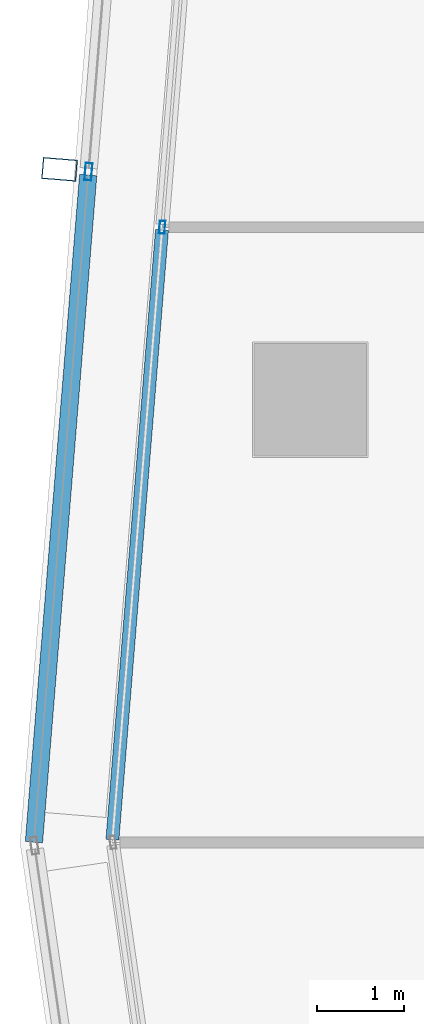
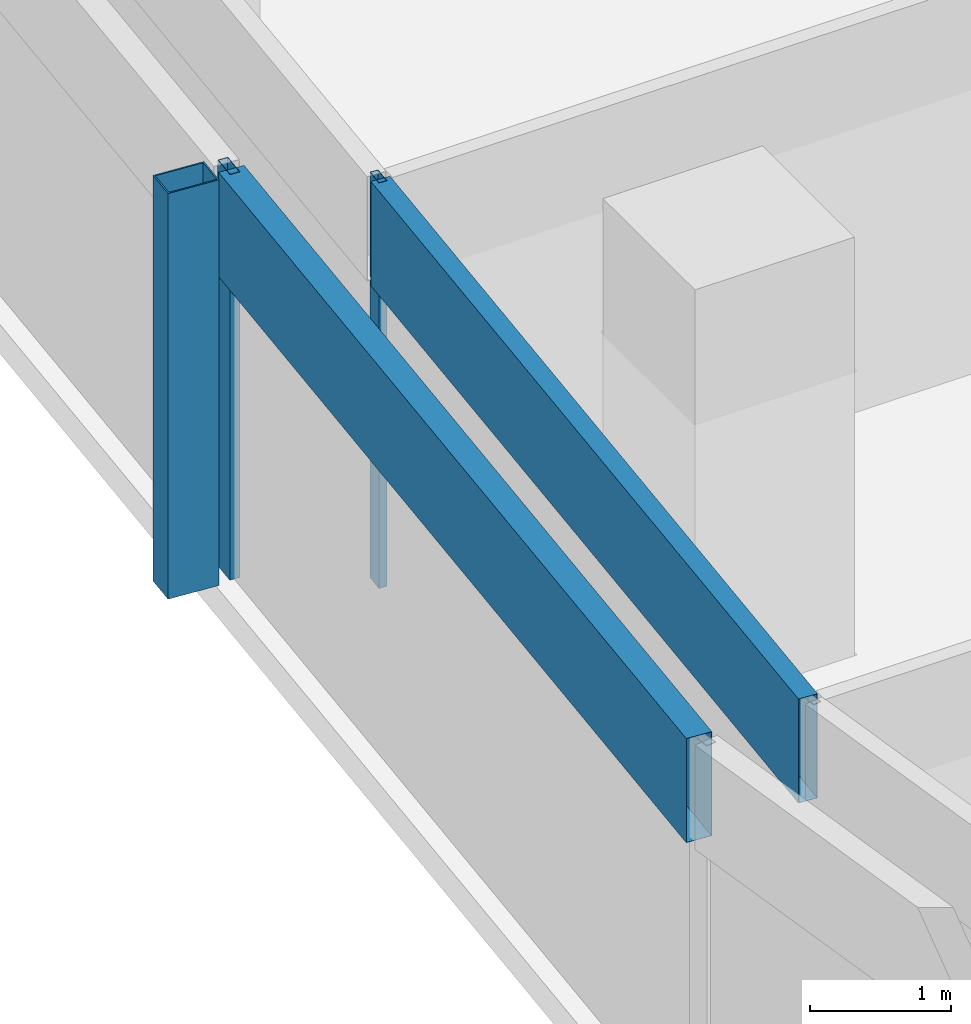
# One storey, part 7 of 26: 5 members, 2 elements without a shape of their own.
"""IFC4 building model written with IfcOpenShell, lengths in metres."""

import ifcopenshell
import ifcopenshell.guid

model = None  # the IFC model being written
_history = None  # IfcOwnerHistory: only IFC2X3 demands one
_inside = {}  # id of a spatial element -> (the spatial element, [elements in it])
_under = {}  # id of a project, library or spatial element -> (it, [spatial elements below it])
_declared = {}  # id of a project -> (the project, [libraries it declares])
_typed = {}  # id of a type object -> (the type object, [elements of that type])
_made_of = {}  # id of a material, layer set ... -> (it, [elements and type objects made of it])


def new_model(schema):
    """Start an empty IFC model of exactly this schema.

    Asked for "IFC4X3", IfcOpenShell would pick the latest addendum, in which some entities
    have other attributes; the version numbers below select the first issue.
    IFC2X3 requires an IfcOwnerHistory on every rooted entity: one is made here for all.
    """
    global model, _history
    if schema == "IFC4X3":
        model = ifcopenshell.file(schema_version=(4, 3, 0, 0))
    else:
        model = ifcopenshell.file(schema=schema)
    _inside.clear()
    _under.clear()
    _declared.clear()
    _typed.clear()
    _made_of.clear()
    _history = None
    if model.schema == "IFC2X3":
        org = make("IfcOrganization", Name="unknown")
        user = make(
            "IfcPersonAndOrganization",
            ThePerson=make("IfcPerson", FamilyName="unknown"),
            TheOrganization=org,
        )
        app = make(
            "IfcApplication",
            ApplicationDeveloper=org,
            Version="unknown",
            ApplicationFullName="unknown",
            ApplicationIdentifier="unknown",
        )
        _history = make(
            "IfcOwnerHistory",
            OwningUser=user,
            OwningApplication=app,
            ChangeAction="ADDED",
            CreationDate=0,
        )
    return model


def make(cls, **values):
    """One entity of the class cls with the attributes given. An attribute that is None is left unset."""
    return model.create_entity(
        cls, **{name: value for name, value in values.items() if value is not None}
    )


def rooted(cls, **values):
    """An entity with a GlobalId (a new one), such as an element, a storey or a relation."""
    return make(cls, GlobalId=ifcopenshell.guid.new(), OwnerHistory=_history, **values)


def si_unit(unit_type, name, prefix=None):
    """IfcSIUnit, for example si_unit("LENGTHUNIT", "METRE", prefix="MILLI")."""
    return make("IfcSIUnit", UnitType=unit_type, Prefix=prefix, Name=name)


def assignment(units):
    """IfcUnitAssignment: the units of a project."""
    return None if units is None else make("IfcUnitAssignment", Units=units)


def point(xyz):
    """IfcCartesianPoint."""
    return None if xyz is None else make("IfcCartesianPoint", Coordinates=xyz)


def direction(xyz):
    """IfcDirection."""
    return None if xyz is None else make("IfcDirection", DirectionRatios=xyz)


def frame(location, z_axis=None, x_axis=None):
    """IfcAxis2Placement3D, a coordinate frame: its origin and axes. An axis left out is left unset."""
    return make(
        "IfcAxis2Placement3D",
        Location=point(location),
        Axis=direction(z_axis),
        RefDirection=direction(x_axis),
    )


def frame_2d(location, x_axis=None):
    """IfcAxis2Placement2D, a coordinate frame in the plane: its origin and x axis."""
    return make(
        "IfcAxis2Placement2D", Location=point(location), RefDirection=direction(x_axis)
    )


def origin():
    """The frame at (0, 0, 0) with its axes left unset."""
    return frame((0.0, 0.0, 0.0))


def origin_2d():
    """The frame at (0, 0) in the plane with its x axis left unset."""
    return frame_2d((0.0, 0.0))


def place(relative_to, where):
    """IfcLocalPlacement: puts the frame where relative to a parent placement (None: the world)."""
    return make(
        "IfcLocalPlacement", PlacementRelTo=relative_to, RelativePlacement=where
    )


def context(
    kind, dimensions, precision=None, world=None, true_north=None, identifier=None
):
    """IfcGeometricRepresentationContext, for example the 3D "Model" context."""
    return make(
        "IfcGeometricRepresentationContext",
        ContextIdentifier=identifier,
        ContextType=kind,
        CoordinateSpaceDimension=dimensions,
        Precision=precision,
        WorldCoordinateSystem=world,
        TrueNorth=true_north,
    )


def subcontext(parent, identifier, kind, view, scale=None):
    """IfcGeometricRepresentationSubContext, for example "Body" below "Model"."""
    return make(
        "IfcGeometricRepresentationSubContext",
        ContextIdentifier=identifier,
        ContextType=kind,
        ParentContext=parent,
        TargetScale=scale,
        TargetView=view,
    )


def project(units=None, contexts=None):
    """IfcProject with its units and contexts."""
    return rooted(
        "IfcProject",
        Name="project",
        RepresentationContexts=contexts,
        UnitsInContext=assignment(units),
    )


def spatial(cls, under=None, at=None, **own):
    """A site, building, storey or space (cls), placed at a placement, below another one or the project."""
    s = rooted(cls, ObjectPlacement=at, **own)
    if under is not None:
        _under.setdefault(under.id(), (under, []))[1].append(s)
    return s


def profile(cls, at=None, kind="AREA", **sizes):
    """A parametric profile (cls). Its sizes go by their IFC names, for example OverallWidth=200.0."""
    return make(cls, ProfileType=kind, Position=at, **sizes)


def hollow_rectangle(**sizes):
    """IfcRectangleHollowProfileDef."""
    return profile("IfcRectangleHollowProfileDef", **sizes)


def extrude(swept, where, along, depth):
    """IfcExtrudedAreaSolid: the profile swept, set in the frame where, extruded along a direction by depth."""
    return make(
        "IfcExtrudedAreaSolid",
        SweptArea=swept,
        Position=where,
        ExtrudedDirection=direction(along),
        Depth=depth,
    )


def shape(context_of_items, identifier, shape_type, items):
    """IfcShapeRepresentation: the items that make up one representation, for example the "Body"."""
    return make(
        "IfcShapeRepresentation",
        ContextOfItems=context_of_items,
        RepresentationIdentifier=identifier,
        RepresentationType=shape_type,
        Items=items,
    )


def material(Name=None, Category=None):
    """IfcMaterial."""
    return make("IfcMaterial", Name=Name, Category=Category)


def material_profile(
    of_material, cross_section, Name=None, Category=None, Priority=None
):
    """IfcMaterialProfile: a cross section and its material."""
    return make(
        "IfcMaterialProfile",
        Name=Name,
        Material=of_material,
        Profile=cross_section,
        Priority=Priority,
        Category=Category,
    )


def profile_set(profiles, Name=None, composite=None):
    """IfcMaterialProfileSet."""
    return make(
        "IfcMaterialProfileSet",
        Name=Name,
        MaterialProfiles=profiles,
        CompositeProfile=composite,
    )


def made_of(thing, what):
    """Note that an element or type object is made of a material, layer set ...; save() writes the relation."""
    if what is not None:
        _made_of.setdefault(what.id(), (what, []))[1].append(thing)
    return thing


def type_object(cls, material=None, **own):
    """A type object (cls), such as IfcWallType, which elements share."""
    return made_of(rooted(cls, **own), material)


def element(
    cls,
    number,
    at=None,
    inside=None,
    cuts=None,
    type_object=None,
    material=None,
    context=None,
    identifier="Body",
    shape_type=None,
    held_by="IfcProductDefinitionShape",
    body=None,
    shapes=None,
    **own,
):
    """One element of the class cls, such as IfcWall. Its Tag is "e" and its number.

    at: its placement. inside: the storey or other place that contains it. cuts: it is an
    opening in that element (IfcRelVoidsElement). A single representation is given by context,
    identifier, shape_type and body (its items); several are given by shapes. held_by: the class
    of the entity that holds the representations. save() writes the other relations.
    """
    e = rooted(cls, Tag="e%d" % number, ObjectPlacement=at, **own)
    if body is not None:
        shapes = [shape(context, identifier, shape_type, body)]
    if shapes is not None:
        e.Representation = make(held_by, Representations=shapes)
    if inside is not None:
        _inside.setdefault(inside.id(), (inside, []))[1].append(e)
    if cuts is not None:
        rooted(
            "IfcRelVoidsElement", RelatingBuildingElement=cuts, RelatedOpeningElement=e
        )
    if type_object is not None:
        _typed.setdefault(type_object.id(), (type_object, []))[1].append(e)
    return made_of(e, material)


def aggregate(whole, parts):
    """IfcRelAggregates: a whole, such as a stair, and the parts it consists of."""
    return rooted("IfcRelAggregates", RelatingObject=whole, RelatedObjects=parts)


def save(model, path):
    """Write the relations noted so far, then the file.

    IfcRelAggregates (storeys below a building ...), IfcRelContainedInSpatialStructure (elements
    in a storey), IfcRelDefinesByType, IfcRelAssociatesMaterial and IfcRelDeclares: one each for
    every whole, place, type object, material and project.
    """
    for whole, parts in _under.values():
        aggregate(whole, parts)
    for where, things in _inside.values():
        rooted(
            "IfcRelContainedInSpatialStructure",
            RelatedElements=things,
            RelatingStructure=where,
        )
    for kind, things in _typed.values():
        rooted("IfcRelDefinesByType", RelatedObjects=things, RelatingType=kind)
    for what, things in _made_of.values():
        rooted("IfcRelAssociatesMaterial", RelatedObjects=things, RelatingMaterial=what)
    for by, libraries in _declared.values():
        rooted("IfcRelDeclares", RelatingContext=by, RelatedDefinitions=libraries)
    model.write(path)


model = new_model("IFC4")

# Units and contexts
model_context = context("Model", 3, precision=1e-05, world=origin(), true_north=direction((0.0, 1.0)))
body_context = subcontext(model_context, "Body", "Model", "MODEL_VIEW")
ifc_project = project(units=[si_unit("LENGTHUNIT", "METRE"), si_unit("AREAUNIT", "SQUARE_METRE"), si_unit("VOLUMEUNIT", "CUBIC_METRE"), si_unit("PLANEANGLEUNIT", "RADIAN"), si_unit("MASSUNIT", "GRAM", prefix="KILO")], contexts=[model_context])

# Site, building, storey
site_placement = place(None, origin())
site = spatial("IfcSite", under=ifc_project, at=site_placement, CompositionType="ELEMENT")
building_placement = place(site_placement, origin())
building = spatial("IfcBuilding", under=site, at=building_placement, Name="Rekha Terrace Tower", CompositionType="ELEMENT")
storey_placement = place(building_placement, frame((0.0, 0.0, 283.85009765625)))
storey = spatial("IfcBuildingStorey", under=building, at=storey_placement, Name="L72", CompositionType="ELEMENT", Elevation=283.85009765625)

# Curtain wall, member
ifc_material_1 = material(Name="Aluminium framing", Category="aluminium")
curtain_wall_type_1 = type_object("IfcCurtainWallType", Name="CW2 double skin outer glazing", PredefinedType="USERDEFINED", material=ifc_material_1)
curtain_wall_1_placement = place(storey_placement, origin())
curtain_wall_1 = element("IfcCurtainWall", 1, at=curtain_wall_1_placement, inside=storey, type_object=curtain_wall_type_1, Name="CW2 double skin outer glazing", ObjectType="DOUBLE SKIN OUTER GLAZING", PredefinedType="USERDEFINED")
ifc_material_2 = material(Name="Steel S355 with fluorocarbon finish", Category="steel")
ifc_material_profile_1 = material_profile(ifc_material_2, hollow_rectangle(XDim=0.25, YDim=0.39990234375, WallThickness=0.012451171875, at=origin_2d()), Name="RHS400x250x12.5")
ifc_profile_set_1 = profile_set([ifc_material_profile_1], Name="Steel S355 with fluorocarbon finish")
member_type_1 = type_object("IfcMemberType", Name="BL1 facade blade RHS 400 x 250", PredefinedType="USERDEFINED", material=ifc_profile_set_1)
member_1_placement = place(storey_placement, frame((5.506103515625, 36.257568359375, 0.0), z_axis=(0.0, 0.0, 1.0), x_axis=(-0.081068747348, -0.996708512156, 0.0)))
member_1 = element("IfcMember", 2, at=member_1_placement, type_object=member_type_1, Name="Facade blade", ObjectType="FACADE BLADE", PredefinedType="USERDEFINED", context=body_context, shape_type="SweptSolid", body=[
    extrude(hollow_rectangle(XDim=0.25, YDim=0.39990234375, WallThickness=0.012451171875, at=origin_2d()), origin(), (0.0, 0.0, 1.0), 3.5),
])

# Curtain wall, members
curtain_wall_type_2 = type_object("IfcCurtainWallType", Name="CW1 double skin inner glazing", PredefinedType="USERDEFINED", material=ifc_material_1)
curtain_wall_2_placement = place(storey_placement, origin())
curtain_wall_2 = element("IfcCurtainWall", 3, at=curtain_wall_2_placement, inside=storey, type_object=curtain_wall_type_2, Name="CW1 double skin inner glazing", ObjectType="DOUBLE SKIN INNER GLAZING", PredefinedType="USERDEFINED")
ifc_material_3 = material(Name="Aluminium mullion section", Category="aluminium")
ifc_material_profile_2 = material_profile(ifc_material_3, hollow_rectangle(XDim=0.06494140625, YDim=0.14990234375, WallThickness=0.00390625, at=origin_2d()), Name="AL RHS 65x150")
ifc_profile_set_2 = profile_set([ifc_material_profile_2], Name="Aluminium mullion section")
member_type_2 = type_object("IfcMemberType", Name="CW1 mullion RHS 65 x 150", PredefinedType="MULLION", material=ifc_profile_set_2)
member_2_placement = place(storey_placement, frame((6.69091796875, 35.58984375, 0.0), z_axis=(0.0, 0.0, 1.0), x_axis=(0.996708580524, -0.081067906781, 0.0)))
member_2 = element("IfcMember", 4, at=member_2_placement, type_object=member_type_2, Name="CW1 mullion 3", PredefinedType="MULLION", context=body_context, shape_type="SweptSolid", body=[
    extrude(hollow_rectangle(XDim=0.06494140625, YDim=0.14990234375, WallThickness=0.00390625, at=origin_2d()), origin(), (0.0, 0.0, 1.0), 3.5),
])
ifc_material_4 = material(Name="Insulated aluminium spandrel box", Category="aluminium")
ifc_material_profile_3 = material_profile(ifc_material_4, hollow_rectangle(XDim=0.14990234375, YDim=0.89990234375, WallThickness=0.0029296875, at=origin_2d()), Name="AL SPANDREL BOX 150x900")
ifc_profile_set_3 = profile_set([ifc_material_profile_3], Name="Insulated aluminium spandrel box")
member_type_3 = type_object("IfcMemberType", Name="CW1 spandrel transom 150 x 900", PredefinedType="USERDEFINED", material=ifc_profile_set_3)
member_3_placement = place(storey_placement, frame((6.688232421875, 35.557373046875, 3.0498046875), z_axis=(-0.081052724461, -0.996709815271, 0.0), x_axis=(0.996709815271, -0.081052724461, 0.0)))
member_3 = element("IfcMember", 5, at=member_3_placement, type_object=member_type_3, Name="CW1 spandrel transom 3", ObjectType="TRANSOM", PredefinedType="USERDEFINED", context=body_context, shape_type="SweptSolid", body=[
    extrude(hollow_rectangle(XDim=0.14990234375, YDim=0.89990234375, WallThickness=0.0029296875, at=origin_2d()), origin(), (0.0, 0.0, 1.0), 7.057373046875),
])
aggregate(curtain_wall_2, [member_2, member_3])

# Member
ifc_material_profile_4 = material_profile(ifc_material_3, hollow_rectangle(XDim=0.080078125, YDim=0.199951171875, WallThickness=0.00390625, at=origin_2d()), Name="AL RHS 80x200")
ifc_profile_set_4 = profile_set([ifc_material_profile_4], Name="Aluminium mullion section")
member_type_4 = type_object("IfcMemberType", Name="CW2 mullion RHS 80 x 200", PredefinedType="MULLION", material=ifc_profile_set_4)
member_4_placement = place(storey_placement, frame((5.840087890625, 36.23046875, 0.0), z_axis=(0.0, 0.0, 1.0), x_axis=(0.996708580521, -0.081067906816, 0.0)))
member_4 = element("IfcMember", 6, at=member_4_placement, type_object=member_type_4, Name="CW2 mullion 3", PredefinedType="MULLION", context=body_context, shape_type="SweptSolid", body=[
    extrude(hollow_rectangle(XDim=0.080078125, YDim=0.199951171875, WallThickness=0.00390625, at=origin_2d()), origin(), (0.0, 0.0, 1.0), 3.5),
])

ifc_material_profile_5 = material_profile(ifc_material_4, hollow_rectangle(XDim=0.199951171875, YDim=0.89990234375, WallThickness=0.0029296875, at=origin_2d()), Name="AL SPANDREL BOX 200x900")
ifc_profile_set_5 = profile_set([ifc_material_profile_5], Name="Insulated aluminium spandrel box")
member_type_5 = type_object("IfcMemberType", Name="CW2 spandrel transom 200 x 900", PredefinedType="USERDEFINED", material=ifc_profile_set_5)
member_5_placement = place(storey_placement, frame((5.8369140625, 36.190673828125, 3.0498046875), z_axis=(-0.08107481866, -0.996708018318, 0.0), x_axis=(0.996708018318, -0.08107481866, 0.0)))
member_5 = element("IfcMember", 7, at=member_5_placement, type_object=member_type_5, Name="CW2 spandrel transom 3", ObjectType="TRANSOM", PredefinedType="USERDEFINED", context=body_context, shape_type="SweptSolid", body=[
    extrude(hollow_rectangle(XDim=0.199951171875, YDim=0.89990234375, WallThickness=0.0029296875, at=origin_2d()), origin(), (0.0, 0.0, 1.0), 7.720947265625),
])

aggregate(curtain_wall_1, [member_4, member_5, member_1])

save(model, "model.ifc")
